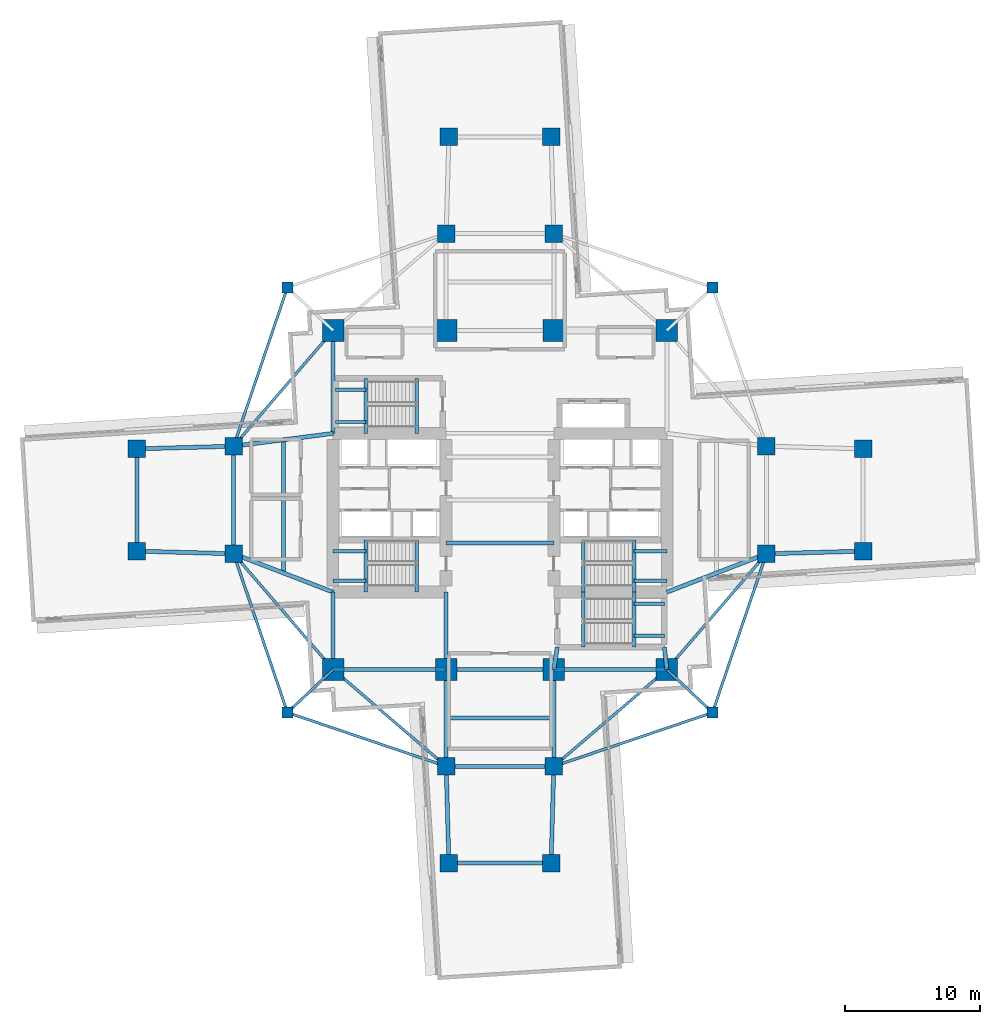
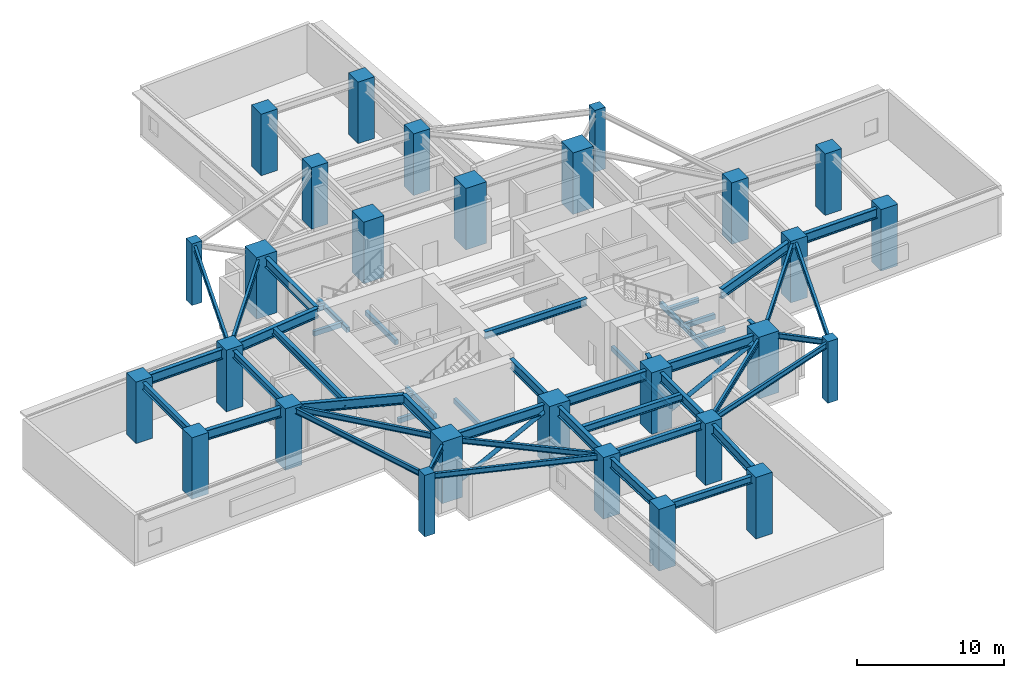
# One storey, part 1 of 11: 53 beams, 28 columns, 2 members.
"""IFC4 building model written with IfcOpenShell, lengths in metres."""

from ifc_helpers import new_model, si_unit, direction, frame, origin, origin_2d, place, context, subcontext, project, spatial, rectangle, hollow_circle, i_section, extrude, material, material_profile, profile_set, type_object, element, save


model = new_model("IFC4")

# Units and contexts
model_context = context("Model", 3, precision=1e-05, world=origin(), true_north=direction((0.0, 1.0)))
body_context = subcontext(model_context, "Body", "Model", "MODEL_VIEW")
ifc_project = project(units=[si_unit("LENGTHUNIT", "METRE"), si_unit("AREAUNIT", "SQUARE_METRE"), si_unit("VOLUMEUNIT", "CUBIC_METRE"), si_unit("PLANEANGLEUNIT", "RADIAN"), si_unit("MASSUNIT", "GRAM", prefix="KILO")], contexts=[model_context])

# Site, building, storey
site_placement = place(None, origin())
site = spatial("IfcSite", under=ifc_project, at=site_placement, CompositionType="ELEMENT")
building_placement = place(site_placement, origin())
building = spatial("IfcBuilding", under=site, at=building_placement, Name="Qingluan Cross Belvedere", CompositionType="ELEMENT")
storey_placement = place(building_placement, frame((0.0, 0.0, 47.10009765625)))
storey = spatial("IfcBuildingStorey", under=building, at=storey_placement, Name="L12", CompositionType="ELEMENT", Elevation=47.10009765625)

# Columns
ifc_material_1 = material(Name="Concrete C60", Category="concrete")
ifc_material_profile_1 = material_profile(ifc_material_1, rectangle(XDim=1.300048828125, YDim=1.300048828125, at=origin_2d()), Name="RC1300x1300")
ifc_profile_set_1 = profile_set([ifc_material_profile_1], Name="Concrete C60")
column_type_1 = type_object("IfcColumnType", Name="Column_RC1300x1300", PredefinedType="COLUMN", material=ifc_profile_set_1)
for number, where, z_axis, x_axis, name in (
    (1, (19.800048828125, -4.0, 0.0), (0.0, 0.0, 1.0), (1.0, 0.0, 0.0), "Arm column L12-EIA"),
    (2, (19.800048828125, 4.0, 0.0), (0.0, 0.0, 1.0), (1.0, 0.0, 0.0), "Arm column L12-EIB"),
    (3, (-19.800048828125, -4.0, 0.0), (0.0, 0.0, 1.0), (1.0, 0.0, 0.0), "Arm column L12-WIA"),
    (4, (-19.800048828125, 4.0, 0.0), (0.0, 0.0, 1.0), (1.0, 0.0, 0.0), "Arm column L12-WIB"),
    (5, (-4.0, -19.800048828125, 0.0), (0.0, 0.0, 1.0), (1.0, 0.0, 0.0), "Arm column L12-SIA"),
    (6, (4.0, -19.800048828125, 0.0), (0.0, 0.0, 1.0), (1.0, 0.0, 0.0), "Arm column L12-SIB"),
    (7, (-4.0, 19.800048828125, 0.0), (0.0, 0.0, 1.0), (1.0, 0.0, 0.0), "Arm column L12-NIA"),
    (8, (4.0, 19.800048828125, 0.0), (0.0, 0.0, 1.0), (1.0, 0.0, 0.0), "Arm column L12-NIB"),
    (9, (27.0, -3.800048828125, 0.0), (0.0, 0.0, 1.0), (1.0, 0.0, 0.0), "Arm column L12-EOA"),
    (10, (27.0, 3.800048828125, 0.0), (0.0, 0.0, 1.0), (1.0, 0.0, 0.0), "Arm column L12-EOB"),
    (11, (-27.0, -3.800048828125, 0.0), (0.0, 0.0, 1.0), (1.0, 0.0, 0.0), "Arm column L12-WOA"),
    (12, (-27.0, 3.800048828125, 0.0), (0.0, 0.0, 1.0), (1.0, 0.0, 0.0), "Arm column L12-WOB"),
    (13, (-3.800048828125, -27.0, 0.0), (0.0, 0.0, 1.0), (1.0, 0.0, 0.0), "Arm column L12-SOA"),
    (14, (3.800048828125, -27.0, 0.0), (0.0, 0.0, 1.0), (1.0, 0.0, 0.0), "Arm column L12-SOB"),
    (15, (-3.800048828125, 27.0, 0.0), (0.0, 0.0, 1.0), (1.0, 0.0, 0.0), "Arm column L12-NOA"),
    (16, (3.800048828125, 27.0, 0.0), (0.0, 0.0, 1.0), (1.0, 0.0, 0.0), "Arm column L12-NOB"),
):
    element("IfcColumn", number, at=place(storey_placement, frame(where, z_axis=z_axis, x_axis=x_axis)), inside=storey, type_object=column_type_1, Name=name, PredefinedType="COLUMN", context=body_context, shape_type="SweptSolid", body=[
        extrude(rectangle(XDim=1.300048828125, YDim=1.300048828125, at=origin_2d()), origin(), (0.0, 0.0, 1.0), 5.099853515625),
    ])
ifc_material_2 = material(Name="Concrete C70", Category="concrete")
ifc_material_profile_2 = material_profile(ifc_material_2, rectangle(XDim=1.60009765625, YDim=1.60009765625, at=origin_2d()), Name="RC1600x1600")
ifc_profile_set_2 = profile_set([ifc_material_profile_2], Name="Concrete C70")
column_type_2 = type_object("IfcColumnType", Name="Column_RC1600x1600", PredefinedType="COLUMN", material=ifc_profile_set_2)
for number, where, z_axis, x_axis, name in (
    (17, (-12.39990234375, -12.60009765625, 0.0), (0.0, 0.0, 1.0), (1.0, 0.0, 0.0), "Hub column L12-HC1"),
    (18, (12.39990234375, -12.60009765625, 0.0), (0.0, 0.0, 1.0), (1.0, 0.0, 0.0), "Hub column L12-HC2"),
    (19, (12.39990234375, 12.60009765625, 0.0), (0.0, 0.0, 1.0), (1.0, 0.0, 0.0), "Hub column L12-HC3"),
    (20, (-12.39990234375, 12.60009765625, 0.0), (0.0, 0.0, 1.0), (1.0, 0.0, 0.0), "Hub column L12-HC4"),
    (21, (-4.0, -12.60009765625, 0.0), (0.0, 0.0, 1.0), (1.0, 0.0, 0.0), "Hub column L12-HC5"),
    (22, (4.0, -12.60009765625, 0.0), (0.0, 0.0, 1.0), (1.0, 0.0, 0.0), "Hub column L12-HC6"),
    (23, (4.0, 12.60009765625, 0.0), (0.0, 0.0, 1.0), (1.0, 0.0, 0.0), "Hub column L12-HC7"),
    (24, (-4.0, 12.60009765625, 0.0), (0.0, 0.0, 1.0), (1.0, 0.0, 0.0), "Hub column L12-HC8"),
):
    element("IfcColumn", number, at=place(storey_placement, frame(where, z_axis=z_axis, x_axis=x_axis)), inside=storey, type_object=column_type_2, Name=name, PredefinedType="COLUMN", context=body_context, shape_type="SweptSolid", body=[
        extrude(rectangle(XDim=1.60009765625, YDim=1.60009765625, at=origin_2d()), origin(), (0.0, 0.0, 1.0), 5.099853515625),
    ])
ifc_material_3 = material(Name="Concrete C50", Category="concrete")
ifc_material_profile_3 = material_profile(ifc_material_3, rectangle(XDim=0.800048828125, YDim=0.800048828125, at=origin_2d()), Name="RC800x800")
ifc_profile_set_3 = profile_set([ifc_material_profile_3], Name="Concrete C50")
column_type_3 = type_object("IfcColumnType", Name="Column_RC800x800", PredefinedType="COLUMN", material=ifc_profile_set_3)
for number, where, z_axis, x_axis, name in (
    (25, (15.800048828125, 15.800048828125, 0.0), (0.0, 0.0, 1.0), (1.0, 0.0, 0.0), "Corner column L12-RNE"),
    (26, (-15.800048828125, 15.800048828125, 0.0), (0.0, 0.0, 1.0), (1.0, 0.0, 0.0), "Corner column L12-RNW"),
    (27, (-15.800048828125, -15.800048828125, 0.0), (0.0, 0.0, 1.0), (1.0, 0.0, 0.0), "Corner column L12-RSW"),
    (28, (15.800048828125, -15.800048828125, 0.0), (0.0, 0.0, 1.0), (1.0, 0.0, 0.0), "Corner column L12-RSE"),
):
    element("IfcColumn", number, at=place(storey_placement, frame(where, z_axis=z_axis, x_axis=x_axis)), inside=storey, type_object=column_type_3, Name=name, PredefinedType="COLUMN", context=body_context, shape_type="SweptSolid", body=[
        extrude(rectangle(XDim=0.800048828125, YDim=0.800048828125, at=origin_2d()), origin(), (0.0, 0.0, 1.0), 5.099853515625),
    ])

# Beams
ifc_material_4 = material(Name="Concrete C45", Category="concrete")
ifc_material_profile_4 = material_profile(ifc_material_4, rectangle(XDim=0.25, YDim=0.39990234375, at=origin_2d()), Name="RC250x400")
ifc_profile_set_4 = profile_set([ifc_material_profile_4], Name="Concrete C45")
beam_type_1 = type_object("IfcBeamType", Name="RC_Lintel_RC250x400", PredefinedType="LINTEL", material=ifc_profile_set_4)
for number, where, z_axis, x_axis, name in (
    (29, (-6.179931640625, -6.85009765625, -0.2001953125), (0.0, 1.0, 0.0), (-1.0, 0.0, 0.0), "Stair ST1 landing beam L12"),
    (30, (6.179931640625, -6.85009765625, -0.2001953125), (0.0, 1.0, 0.0), (-1.0, 0.0, 0.0), "Stair ST2 landing beam L12"),
):
    element("IfcBeam", number, at=place(storey_placement, frame(where, z_axis=z_axis, x_axis=x_axis)), inside=storey, type_object=beam_type_1, Name=name, PredefinedType="LINTEL", context=body_context, shape_type="SweptSolid", body=[
        extrude(rectangle(XDim=0.25, YDim=0.39990234375, at=origin_2d()), origin(), (0.0, 0.0, 1.0), 3.89013671875),
    ])
beam_1_placement = place(storey_placement, frame((-6.179931640625, 4.949951171875, -0.2001953125), z_axis=(0.0, 1.0, 0.0), x_axis=(-1.0, 0.0, 0.0)))
element("IfcBeam", 31, at=beam_1_placement, inside=storey, type_object=beam_type_1, Name="Stair ST3 landing beam L12", PredefinedType="LINTEL", context=body_context, shape_type="SweptSolid", body=[
    extrude(rectangle(XDim=0.25, YDim=0.39990234375, at=origin_2d()), origin(), (0.0, 0.0, 1.0), 4.090087890625),
])
beam_2_placement = place(storey_placement, frame((6.179931640625, -10.93994140625, -0.2001953125), z_axis=(0.0, 1.0, 0.0), x_axis=(-1.0, 0.0, 0.0)))
element("IfcBeam", 32, at=beam_2_placement, inside=storey, type_object=beam_type_1, Name="Stair ST4 landing beam L12", PredefinedType="LINTEL", context=body_context, shape_type="SweptSolid", body=[
    extrude(rectangle(XDim=0.25, YDim=0.39990234375, at=origin_2d()), origin(), (0.0, 0.0, 1.0), 4.08984375),
])
beam_3_placement = place(storey_placement, frame((-9.969970703125, -6.85009765625, 2.14990234375), z_axis=(0.0, 1.0, 0.0), x_axis=(-1.0, 0.0, 0.0)))
element("IfcBeam", 33, at=beam_3_placement, inside=storey, type_object=beam_type_1, Name="Stair ST1 beam A L12", PredefinedType="LINTEL", context=body_context, shape_type="SweptSolid", body=[
    extrude(rectangle(XDim=0.25, YDim=0.39990234375, at=origin_2d()), origin(), (0.0, 0.0, 1.0), 3.89013671875),
])
for number, where, z_axis, x_axis, name in (
    (34, (-12.39990234375, -6.0, 2.14990234375), (1.0, 0.0, 0.0), (0.0, 1.0, 0.0), "Stair ST1 beam B L12"),
    (35, (-12.39990234375, -3.81005859375, 2.14990234375), (1.0, 0.0, 0.0), (0.0, 1.0, 0.0), "Stair ST1 beam C L12"),
):
    element("IfcBeam", number, at=place(storey_placement, frame(where, z_axis=z_axis, x_axis=x_axis)), inside=storey, type_object=beam_type_1, Name=name, PredefinedType="LINTEL", context=body_context, shape_type="SweptSolid", body=[
        extrude(rectangle(XDim=0.25, YDim=0.39990234375, at=origin_2d()), origin(), (0.0, 0.0, 1.0), 2.429931640625),
    ])
beam_4_placement = place(storey_placement, frame((9.969970703125, -6.85009765625, 2.14990234375), z_axis=(0.0, 1.0, 0.0), x_axis=(-1.0, 0.0, 0.0)))
element("IfcBeam", 36, at=beam_4_placement, inside=storey, type_object=beam_type_1, Name="Stair ST2 beam A L12", PredefinedType="LINTEL", context=body_context, shape_type="SweptSolid", body=[
    extrude(rectangle(XDim=0.25, YDim=0.39990234375, at=origin_2d()), origin(), (0.0, 0.0, 1.0), 3.89013671875),
])
for number, where, z_axis, x_axis, name in (
    (37, (12.39990234375, -6.0, 2.14990234375), (-1.0, 0.0, 0.0), (0.0, -1.0, 0.0), "Stair ST2 beam B L12"),
    (38, (12.39990234375, -3.81005859375, 2.14990234375), (-1.0, 0.0, 0.0), (0.0, -1.0, 0.0), "Stair ST2 beam C L12"),
):
    element("IfcBeam", number, at=place(storey_placement, frame(where, z_axis=z_axis, x_axis=x_axis)), inside=storey, type_object=beam_type_1, Name=name, PredefinedType="LINTEL", context=body_context, shape_type="SweptSolid", body=[
        extrude(rectangle(XDim=0.25, YDim=0.39990234375, at=origin_2d()), origin(), (0.0, 0.0, 1.0), 2.429931640625),
    ])
beam_5_placement = place(storey_placement, frame((-9.969970703125, 4.949951171875, 2.14990234375), z_axis=(0.0, 1.0, 0.0), x_axis=(-1.0, 0.0, 0.0)))
element("IfcBeam", 39, at=beam_5_placement, inside=storey, type_object=beam_type_1, Name="Stair ST3 beam A L12", PredefinedType="LINTEL", context=body_context, shape_type="SweptSolid", body=[
    extrude(rectangle(XDim=0.25, YDim=0.39990234375, at=origin_2d()), origin(), (0.0, 0.0, 1.0), 4.090087890625),
])
for number, where, z_axis, x_axis, name in (
    (40, (-12.219970703125, 5.800048828125, 2.14990234375), (1.0, 0.0, 0.0), (0.0, 1.0, 0.0), "Stair ST3 beam B L12"),
    (41, (-12.219970703125, 8.18994140625, 2.14990234375), (1.0, 0.0, 0.0), (0.0, 1.0, 0.0), "Stair ST3 beam C L12"),
):
    element("IfcBeam", number, at=place(storey_placement, frame(where, z_axis=z_axis, x_axis=x_axis)), inside=storey, type_object=beam_type_1, Name=name, PredefinedType="LINTEL", context=body_context, shape_type="SweptSolid", body=[
        extrude(rectangle(XDim=0.25, YDim=0.39990234375, at=origin_2d()), origin(), (0.0, 0.0, 1.0), 2.25),
    ])
beam_6_placement = place(storey_placement, frame((9.969970703125, -10.93994140625, 2.14990234375), z_axis=(0.0, 1.0, 0.0), x_axis=(-1.0, 0.0, 0.0)))
element("IfcBeam", 42, at=beam_6_placement, inside=storey, type_object=beam_type_1, Name="Stair ST4 beam A L12", PredefinedType="LINTEL", context=body_context, shape_type="SweptSolid", body=[
    extrude(rectangle(XDim=0.25, YDim=0.39990234375, at=origin_2d()), origin(), (0.0, 0.0, 1.0), 4.08984375),
])
for number, where, z_axis, x_axis, name in (
    (43, (12.219970703125, -10.090087890625, 2.14990234375), (-1.0, 0.0, 0.0), (0.0, -1.0, 0.0), "Stair ST4 beam B L12"),
    (44, (12.219970703125, -7.699951171875, 2.14990234375), (-1.0, 0.0, 0.0), (0.0, -1.0, 0.0), "Stair ST4 beam C L12"),
):
    element("IfcBeam", number, at=place(storey_placement, frame(where, z_axis=z_axis, x_axis=x_axis)), inside=storey, type_object=beam_type_1, Name=name, PredefinedType="LINTEL", context=body_context, shape_type="SweptSolid", body=[
        extrude(rectangle(XDim=0.25, YDim=0.39990234375, at=origin_2d()), origin(), (0.0, 0.0, 1.0), 2.25),
    ])

# Members
ifc_material_5 = material(Name="Steel Q420GJB", Category="steel")
ifc_material_profile_5 = material_profile(ifc_material_5, hollow_circle(Radius=0.16259765625, WallThickness=0.013916015625, at=origin_2d()), Name="CHS325x14")
ifc_profile_set_5 = profile_set([ifc_material_profile_5], Name="Steel Q420GJB")
member_type = type_object("IfcMemberType", Name="SteelMember_STRUT_CHS325x14", PredefinedType="STRUT", material=ifc_profile_set_5)
for number, where, z_axis, x_axis, name in (
    (45, (-12.39990234375, -12.60009765625, 0.2998046875), (0.890143965082, 0.0, 0.455679406412), (0.0, 1.0, 0.0), "Refuge hub lateral strut L12-SW"),
    (46, (4.0, -12.60009765625, 0.2998046875), (0.890143965082, 0.0, 0.455679406412), (0.0, 1.0, 0.0), "Refuge hub lateral strut L12-SE"),
):
    element("IfcMember", number, at=place(storey_placement, frame(where, z_axis=z_axis, x_axis=x_axis)), inside=storey, type_object=member_type, Name=name, PredefinedType="STRUT", context=body_context, shape_type="SweptSolid", body=[
        extrude(hollow_circle(Radius=0.16259765625, WallThickness=0.013916015625, at=origin_2d()), origin(), (0.0, 0.0, 1.0), 9.4365234375),
    ])

# Beams
ifc_material_6 = material(Name="Steel Q420GJB", Category="steel")
ifc_material_profile_6 = material_profile(ifc_material_6, i_section(OverallWidth=0.300048828125, OverallDepth=0.587890625, WebThickness=0.011962890625, FlangeThickness=0.02001953125, FilletRadius=0.02392578125, at=origin_2d()), Name="HM588x300x12x20")
ifc_profile_set_6 = profile_set([ifc_material_profile_6], Name="Steel Q420GJB")
beam_type_2 = type_object("IfcBeamType", Name="Steel_Beam_HM588x300x12x20", PredefinedType="BEAM", material=ifc_profile_set_6)
for number, where, z_axis, x_axis, name in (
    (47, (-4.0, -3.199951171875, 4.60595703125), (1.0, 0.0, 0.0), (0.0, 1.0, 0.0), "Hall beam L12-CH1"),
    (48, (-19.800048828125, -4.0, 4.60595703125), (0.0, 1.0, 0.0), (-1.0, 0.0, 0.0), "Arm W tie L12"),
):
    element("IfcBeam", number, at=place(storey_placement, frame(where, z_axis=z_axis, x_axis=x_axis)), inside=storey, type_object=beam_type_2, Name=name, PredefinedType="BEAM", context=body_context, shape_type="SweptSolid", body=[
        extrude(i_section(OverallWidth=0.300048828125, OverallDepth=0.587890625, WebThickness=0.011962890625, FlangeThickness=0.02001953125, FilletRadius=0.02392578125, at=origin_2d()), origin(), (0.0, 0.0, 1.0), 8.0),
    ])
beam_7_placement = place(storey_placement, frame((-16.10009765625, -5.425048828125, 4.60595703125), z_axis=(0.0, 1.0, 0.0), x_axis=(-1.0, 0.0, 0.0)))
element("IfcBeam", 49, at=beam_7_placement, inside=storey, type_object=beam_type_2, Name="Arm W beam L12", PredefinedType="BEAM", context=body_context, shape_type="SweptSolid", body=[
    extrude(i_section(OverallWidth=0.300048828125, OverallDepth=0.587890625, WebThickness=0.011962890625, FlangeThickness=0.02001953125, FilletRadius=0.02392578125, at=origin_2d()), origin(), (0.0, 0.0, 1.0), 9.900146484375),
])
beam_8_placement = place(storey_placement, frame((-27.0, -3.800048828125, 4.60595703125), z_axis=(0.0, 1.0, 0.0), x_axis=(-1.0, 0.0, 0.0)))
element("IfcBeam", 50, at=beam_8_placement, inside=storey, type_object=beam_type_2, Name="Arm W tip transverse beam L12", PredefinedType="BEAM", context=body_context, shape_type="SweptSolid", body=[
    extrude(i_section(OverallWidth=0.300048828125, OverallDepth=0.587890625, WebThickness=0.011962890625, FlangeThickness=0.02001953125, FilletRadius=0.02392578125, at=origin_2d()), origin(), (0.0, 0.0, 1.0), 7.60009765625),
])
for number, where, z_axis, x_axis, name in (
    (51, (-4.0, -19.800048828125, 4.60595703125), (1.0, 0.0, 0.0), (0.0, 1.0, 0.0), "Arm S tie L12"),
    (52, (-4.0, -16.199951171875, 4.60595703125), (1.0, 0.0, 0.0), (0.0, 1.0, 0.0), "Arm S beam L12"),
):
    element("IfcBeam", number, at=place(storey_placement, frame(where, z_axis=z_axis, x_axis=x_axis)), inside=storey, type_object=beam_type_2, Name=name, PredefinedType="BEAM", context=body_context, shape_type="SweptSolid", body=[
        extrude(i_section(OverallWidth=0.300048828125, OverallDepth=0.587890625, WebThickness=0.011962890625, FlangeThickness=0.02001953125, FilletRadius=0.02392578125, at=origin_2d()), origin(), (0.0, 0.0, 1.0), 8.0),
    ])
beam_9_placement = place(storey_placement, frame((-3.800048828125, -27.0, 4.60595703125), z_axis=(1.0, 0.0, 0.0), x_axis=(0.0, 1.0, 0.0)))
element("IfcBeam", 53, at=beam_9_placement, inside=storey, type_object=beam_type_2, Name="Arm S tip transverse beam L12", PredefinedType="BEAM", context=body_context, shape_type="SweptSolid", body=[
    extrude(i_section(OverallWidth=0.300048828125, OverallDepth=0.587890625, WebThickness=0.011962890625, FlangeThickness=0.02001953125, FilletRadius=0.02392578125, at=origin_2d()), origin(), (0.0, 0.0, 1.0), 7.60009765625),
])
ifc_material_7 = material(Name="Steel Q420GJB", Category="steel")
ifc_material_profile_7 = material_profile(ifc_material_7, i_section(OverallWidth=0.199951171875, OverallDepth=0.449951171875, WebThickness=0.009033203125, FlangeThickness=0.013916015625, FilletRadius=0.01611328125, at=origin_2d()), Name="HN450x200x9x14")
ifc_profile_set_7 = profile_set([ifc_material_profile_7], Name="Steel Q420GJB")
beam_type_3 = type_object("IfcBeamType", Name="Steel_Beam_HN450x200x9x14", PredefinedType="JOIST", material=ifc_profile_set_7)
beam_10_placement = place(storey_placement, frame((-15.800048828125, 15.800048828125, 4.6748046875), z_axis=(-0.321038089628, -0.947066283324, 0.0), x_axis=(0.947066283324, -0.321038089628, 0.0)))
element("IfcBeam", 54, at=beam_10_placement, inside=storey, type_object=beam_type_3, Name="Corner beam 3 L12-RNW", PredefinedType="JOIST", context=body_context, shape_type="SweptSolid", body=[
    extrude(i_section(OverallWidth=0.199951171875, OverallDepth=0.449951171875, WebThickness=0.009033203125, FlangeThickness=0.013916015625, FilletRadius=0.01611328125, at=origin_2d()), origin(), (0.0, 0.0, 1.0), 12.45947265625),
])
beam_11_placement = place(storey_placement, frame((-12.39990234375, 12.60009765625, 4.6748046875), z_axis=(-0.652245077546, -0.75800815221, 0.0), x_axis=(0.75800815221, -0.652245077546, 0.0)))
element("IfcBeam", 55, at=beam_11_placement, inside=storey, type_object=beam_type_3, Name="Corner beam 4 L12-RNW", PredefinedType="JOIST", context=body_context, shape_type="SweptSolid", body=[
    extrude(i_section(OverallWidth=0.199951171875, OverallDepth=0.449951171875, WebThickness=0.009033203125, FlangeThickness=0.013916015625, FilletRadius=0.01611328125, at=origin_2d()), origin(), (0.0, 0.0, 1.0), 11.345703125),
])
beam_12_placement = place(storey_placement, frame((-12.39990234375, -12.60009765625, 4.65478515625), z_axis=(-0.728219948308, -0.685343495546, 0.0), x_axis=(0.685343495546, -0.728219948308, 0.0)))
element("IfcBeam", 56, at=beam_12_placement, inside=storey, type_object=beam_type_3, Name="Corner beam 1 L12-RSW", PredefinedType="JOIST", context=body_context, shape_type="SweptSolid", body=[
    extrude(i_section(OverallWidth=0.199951171875, OverallDepth=0.449951171875, WebThickness=0.009033203125, FlangeThickness=0.013916015625, FilletRadius=0.01611328125, at=origin_2d()), origin(), (0.0, 0.0, 1.0), 4.669189453125),
])
for number, where, z_axis, x_axis, name in (
    (57, (-15.800048828125, -15.800048828125, 4.65478515625), (0.947066283324, -0.321038089628, 0.0), (0.321038089628, 0.947066283324, 0.0), "Corner beam 2 L12-RSW"),
    (58, (-15.800048828125, -15.800048828125, 4.65478515625), (-0.321038089628, 0.947066283324, 0.0), (-0.947066283324, -0.321038089628, 0.0), "Corner beam 3 L12-RSW"),
):
    element("IfcBeam", number, at=place(storey_placement, frame(where, z_axis=z_axis, x_axis=x_axis)), inside=storey, type_object=beam_type_3, Name=name, PredefinedType="JOIST", context=body_context, shape_type="SweptSolid", body=[
        extrude(i_section(OverallWidth=0.199951171875, OverallDepth=0.449951171875, WebThickness=0.009033203125, FlangeThickness=0.013916015625, FilletRadius=0.01611328125, at=origin_2d()), origin(), (0.0, 0.0, 1.0), 12.45947265625),
    ])
beam_13_placement = place(storey_placement, frame((-12.39990234375, -12.60009765625, 4.65478515625), z_axis=(-0.652245077546, 0.75800815221, 0.0), x_axis=(-0.75800815221, -0.652245077546, 0.0)))
element("IfcBeam", 59, at=beam_13_placement, inside=storey, type_object=beam_type_3, Name="Corner beam 4 L12-RSW", PredefinedType="JOIST", context=body_context, shape_type="SweptSolid", body=[
    extrude(i_section(OverallWidth=0.199951171875, OverallDepth=0.449951171875, WebThickness=0.009033203125, FlangeThickness=0.013916015625, FilletRadius=0.01611328125, at=origin_2d()), origin(), (0.0, 0.0, 1.0), 11.345703125),
])
beam_14_placement = place(storey_placement, frame((-12.39990234375, -12.60009765625, 4.65478515625), z_axis=(0.759255044656, -0.650793190779, 0.0), x_axis=(0.650793190779, 0.759255044656, 0.0)))
element("IfcBeam", 60, at=beam_14_placement, inside=storey, type_object=beam_type_3, Name="Corner beam 5 L12-RSW", PredefinedType="JOIST", context=body_context, shape_type="SweptSolid", body=[
    extrude(i_section(OverallWidth=0.199951171875, OverallDepth=0.449951171875, WebThickness=0.009033203125, FlangeThickness=0.013916015625, FilletRadius=0.01611328125, at=origin_2d()), origin(), (0.0, 0.0, 1.0), 11.063232421875),
])
beam_15_placement = place(storey_placement, frame((12.39990234375, -12.60009765625, 4.6748046875), z_axis=(0.728219948308, -0.685343495546, 0.0), x_axis=(0.685343495546, 0.728219948308, 0.0)))
element("IfcBeam", 61, at=beam_15_placement, inside=storey, type_object=beam_type_3, Name="Corner beam 1 L12-RSE", PredefinedType="JOIST", context=body_context, shape_type="SweptSolid", body=[
    extrude(i_section(OverallWidth=0.199951171875, OverallDepth=0.449951171875, WebThickness=0.009033203125, FlangeThickness=0.013916015625, FilletRadius=0.01611328125, at=origin_2d()), origin(), (0.0, 0.0, 1.0), 4.669189453125),
])
for number, where, z_axis, x_axis, name in (
    (62, (15.800048828125, -15.800048828125, 4.6748046875), (-0.947066283324, -0.321038089628, 0.0), (0.321038089628, -0.947066283324, 0.0), "Corner beam 2 L12-RSE"),
    (63, (15.800048828125, -15.800048828125, 4.6748046875), (0.321038089628, 0.947066283324, 0.0), (-0.947066283324, 0.321038089628, 0.0), "Corner beam 3 L12-RSE"),
):
    element("IfcBeam", number, at=place(storey_placement, frame(where, z_axis=z_axis, x_axis=x_axis)), inside=storey, type_object=beam_type_3, Name=name, PredefinedType="JOIST", context=body_context, shape_type="SweptSolid", body=[
        extrude(i_section(OverallWidth=0.199951171875, OverallDepth=0.449951171875, WebThickness=0.009033203125, FlangeThickness=0.013916015625, FilletRadius=0.01611328125, at=origin_2d()), origin(), (0.0, 0.0, 1.0), 12.45947265625),
    ])
beam_16_placement = place(storey_placement, frame((12.39990234375, -12.60009765625, 4.6748046875), z_axis=(0.652245077546, 0.75800815221, 0.0), x_axis=(-0.75800815221, 0.652245077546, 0.0)))
element("IfcBeam", 64, at=beam_16_placement, inside=storey, type_object=beam_type_3, Name="Corner beam 4 L12-RSE", PredefinedType="JOIST", context=body_context, shape_type="SweptSolid", body=[
    extrude(i_section(OverallWidth=0.199951171875, OverallDepth=0.449951171875, WebThickness=0.009033203125, FlangeThickness=0.013916015625, FilletRadius=0.01611328125, at=origin_2d()), origin(), (0.0, 0.0, 1.0), 11.345703125),
])
beam_17_placement = place(storey_placement, frame((12.39990234375, -12.60009765625, 4.6748046875), z_axis=(-0.759255044656, -0.650793190779, 0.0), x_axis=(0.650793190779, -0.759255044656, 0.0)))
element("IfcBeam", 65, at=beam_17_placement, inside=storey, type_object=beam_type_3, Name="Corner beam 5 L12-RSE", PredefinedType="JOIST", context=body_context, shape_type="SweptSolid", body=[
    extrude(i_section(OverallWidth=0.199951171875, OverallDepth=0.449951171875, WebThickness=0.009033203125, FlangeThickness=0.013916015625, FilletRadius=0.01611328125, at=origin_2d()), origin(), (0.0, 0.0, 1.0), 11.063232421875),
])
ifc_material_8 = material(Name="Steel Q420GJB", Category="steel")
ifc_material_profile_8 = material_profile(ifc_material_8, i_section(OverallWidth=0.305908203125, OverallDepth=0.81396484375, WebThickness=0.02099609375, FlangeThickness=0.0400390625, FilletRadius=0.030029296875, at=origin_2d()), Name="HEM800")
ifc_profile_set_8 = profile_set([ifc_material_profile_8], Name="Steel Q420GJB")
beam_type_4 = type_object("IfcBeamType", Name="Steel_Girder_HEM800", PredefinedType="USERDEFINED", material=ifc_profile_set_8)
beam_18_placement = place(storey_placement, frame((-12.39990234375, -12.60009765625, 4.492919921875), z_axis=(1.0, 0.0, 0.0), x_axis=(0.0, 1.0, 0.0)))
element("IfcBeam", 66, at=beam_18_placement, inside=storey, type_object=beam_type_4, Name="Hub girder L12-HG-S1", ObjectType="GIRDER", PredefinedType="USERDEFINED", context=body_context, shape_type="SweptSolid", body=[
    extrude(i_section(OverallWidth=0.305908203125, OverallDepth=0.81396484375, WebThickness=0.02099609375, FlangeThickness=0.0400390625, FilletRadius=0.030029296875, at=origin_2d()), origin(), (0.0, 0.0, 1.0), 8.39990234375),
])
beam_19_placement = place(storey_placement, frame((-4.0, -12.60009765625, 4.492919921875), z_axis=(1.0, 0.0, 0.0), x_axis=(0.0, 1.0, 0.0)))
element("IfcBeam", 67, at=beam_19_placement, inside=storey, type_object=beam_type_4, Name="Hub girder L12-HG-S2", ObjectType="GIRDER", PredefinedType="USERDEFINED", context=body_context, shape_type="SweptSolid", body=[
    extrude(i_section(OverallWidth=0.305908203125, OverallDepth=0.81396484375, WebThickness=0.02099609375, FlangeThickness=0.0400390625, FilletRadius=0.030029296875, at=origin_2d()), origin(), (0.0, 0.0, 1.0), 8.0),
])
beam_20_placement = place(storey_placement, frame((4.0, -12.60009765625, 4.492919921875), z_axis=(1.0, 0.0, 0.0), x_axis=(0.0, 1.0, 0.0)))
element("IfcBeam", 68, at=beam_20_placement, inside=storey, type_object=beam_type_4, Name="Hub girder L12-HG-S3", ObjectType="GIRDER", PredefinedType="USERDEFINED", context=body_context, shape_type="SweptSolid", body=[
    extrude(i_section(OverallWidth=0.305908203125, OverallDepth=0.81396484375, WebThickness=0.02099609375, FlangeThickness=0.0400390625, FilletRadius=0.030029296875, at=origin_2d()), origin(), (0.0, 0.0, 1.0), 8.39990234375),
])
beam_21_placement = place(storey_placement, frame((-12.39990234375, -12.60009765625, 4.492919921875), z_axis=(0.0, 1.0, 0.0), x_axis=(-1.0, 0.0, 0.0)))
element("IfcBeam", 69, at=beam_21_placement, inside=storey, type_object=beam_type_4, Name="Hub girder L12-HG-W1", ObjectType="GIRDER", PredefinedType="USERDEFINED", context=body_context, shape_type="SweptSolid", body=[
    extrude(i_section(OverallWidth=0.305908203125, OverallDepth=0.81396484375, WebThickness=0.02099609375, FlangeThickness=0.0400390625, FilletRadius=0.030029296875, at=origin_2d()), origin(), (0.0, 0.0, 1.0), 5.75),
])
beam_22_placement = place(storey_placement, frame((-12.39990234375, 4.949951171875, 4.492919921875), z_axis=(0.0, 1.0, 0.0), x_axis=(-1.0, 0.0, 0.0)))
element("IfcBeam", 70, at=beam_22_placement, inside=storey, type_object=beam_type_4, Name="Hub girder L12-HG-W2", ObjectType="GIRDER", PredefinedType="USERDEFINED", context=body_context, shape_type="SweptSolid", body=[
    extrude(i_section(OverallWidth=0.305908203125, OverallDepth=0.81396484375, WebThickness=0.02099609375, FlangeThickness=0.0400390625, FilletRadius=0.030029296875, at=origin_2d()), origin(), (0.0, 0.0, 1.0), 7.650146484375),
])
beam_23_placement = place(storey_placement, frame((12.39990234375, -12.60009765625, 4.492919921875), z_axis=(-0.107751337451, 0.994177876075, 0.0), x_axis=(-0.994177876075, -0.107751337451, 0.0)))
element("IfcBeam", 71, at=beam_23_placement, inside=storey, type_object=beam_type_4, Name="Hub girder L12-HG-E1", ObjectType="GIRDER", PredefinedType="USERDEFINED", context=body_context, shape_type="SweptSolid", body=[
    extrude(i_section(OverallWidth=0.305908203125, OverallDepth=0.81396484375, WebThickness=0.02099609375, FlangeThickness=0.0400390625, FilletRadius=0.030029296875, at=origin_2d()), origin(), (0.0, 0.0, 1.0), 1.669921875),
])
beam_24_placement = place(storey_placement, frame((-4.0, -12.60009765625, 4.492919921875), z_axis=(0.0, 1.0, 0.0), x_axis=(-1.0, 0.0, 0.0)))
element("IfcBeam", 72, at=beam_24_placement, inside=storey, type_object=beam_type_4, Name="Hub girder L12-HG-CW", ObjectType="GIRDER", PredefinedType="USERDEFINED", context=body_context, shape_type="SweptSolid", body=[
    extrude(i_section(OverallWidth=0.305908203125, OverallDepth=0.81396484375, WebThickness=0.02099609375, FlangeThickness=0.0400390625, FilletRadius=0.030029296875, at=origin_2d()), origin(), (0.0, 0.0, 1.0), 5.75),
])
beam_25_placement = place(storey_placement, frame((4.0, -12.60009765625, 4.492919921875), z_axis=(0.154731433337, 0.987956569662, 0.0), x_axis=(-0.987956569662, 0.154731433337, 0.0)))
element("IfcBeam", 73, at=beam_25_placement, inside=storey, type_object=beam_type_4, Name="Hub girder L12-HG-CE", ObjectType="GIRDER", PredefinedType="USERDEFINED", context=body_context, shape_type="SweptSolid", body=[
    extrude(i_section(OverallWidth=0.305908203125, OverallDepth=0.81396484375, WebThickness=0.02099609375, FlangeThickness=0.0400390625, FilletRadius=0.030029296875, at=origin_2d()), origin(), (0.0, 0.0, 1.0), 1.680419921875),
])
beam_26_placement = place(storey_placement, frame((12.39990234375, -6.85009765625, 4.492919921875), z_axis=(0.933181258889, 0.359406090735, 0.0), x_axis=(-0.359406090735, 0.933181258889, 0.0)))
element("IfcBeam", 74, at=beam_26_placement, inside=storey, type_object=beam_type_4, Name="Arm E radial girder A L12", ObjectType="GIRDER", PredefinedType="USERDEFINED", context=body_context, shape_type="SweptSolid", body=[
    extrude(i_section(OverallWidth=0.305908203125, OverallDepth=0.81396484375, WebThickness=0.02099609375, FlangeThickness=0.0400390625, FilletRadius=0.030029296875, at=origin_2d()), origin(), (0.0, 0.0, 1.0), 7.929931640625),
])
beam_27_placement = place(storey_placement, frame((19.800048828125, -4.0, 4.492919921875), z_axis=(0.999614603568, 0.027760481514, 0.0), x_axis=(-0.027760481514, 0.999614603568, 0.0)))
element("IfcBeam", 75, at=beam_27_placement, inside=storey, type_object=beam_type_4, Name="Arm E outer radial girder A L12", ObjectType="GIRDER", PredefinedType="USERDEFINED", context=body_context, shape_type="SweptSolid", body=[
    extrude(i_section(OverallWidth=0.305908203125, OverallDepth=0.81396484375, WebThickness=0.02099609375, FlangeThickness=0.0400390625, FilletRadius=0.030029296875, at=origin_2d()), origin(), (0.0, 0.0, 1.0), 7.20263671875),
])
beam_28_placement = place(storey_placement, frame((-12.39990234375, -6.85009765625, 4.492919921875), z_axis=(-0.933181258889, 0.359406090735, 0.0), x_axis=(-0.359406090735, -0.933181258889, 0.0)))
element("IfcBeam", 76, at=beam_28_placement, inside=storey, type_object=beam_type_4, Name="Arm W radial girder A L12", ObjectType="GIRDER", PredefinedType="USERDEFINED", context=body_context, shape_type="SweptSolid", body=[
    extrude(i_section(OverallWidth=0.305908203125, OverallDepth=0.81396484375, WebThickness=0.02099609375, FlangeThickness=0.0400390625, FilletRadius=0.030029296875, at=origin_2d()), origin(), (0.0, 0.0, 1.0), 7.929931640625),
])
beam_29_placement = place(storey_placement, frame((-12.39990234375, 4.949951171875, 4.492919921875), z_axis=(-0.991861120628, -0.12732445714, 0.0), x_axis=(0.12732445714, -0.991861120628, 0.0)))
element("IfcBeam", 77, at=beam_29_placement, inside=storey, type_object=beam_type_4, Name="Arm W radial girder B L12", ObjectType="GIRDER", PredefinedType="USERDEFINED", context=body_context, shape_type="SweptSolid", body=[
    extrude(i_section(OverallWidth=0.305908203125, OverallDepth=0.81396484375, WebThickness=0.02099609375, FlangeThickness=0.0400390625, FilletRadius=0.030029296875, at=origin_2d()), origin(), (0.0, 0.0, 1.0), 7.4609375),
])
for number, where, z_axis, x_axis, name in (
    (78, (-19.800048828125, -4.0, 4.492919921875), (-0.999614603568, 0.027760481514, 0.0), (-0.027760481514, -0.999614603568, 0.0), "Arm W outer radial girder A L12"),
    (79, (-19.800048828125, 4.0, 4.492919921875), (-0.999614603568, -0.027760481514, 0.0), (0.027760481514, -0.999614603568, 0.0), "Arm W outer radial girder B L12"),
):
    element("IfcBeam", number, at=place(storey_placement, frame(where, z_axis=z_axis, x_axis=x_axis)), inside=storey, type_object=beam_type_4, Name=name, ObjectType="GIRDER", PredefinedType="USERDEFINED", context=body_context, shape_type="SweptSolid", body=[
        extrude(i_section(OverallWidth=0.305908203125, OverallDepth=0.81396484375, WebThickness=0.02099609375, FlangeThickness=0.0400390625, FilletRadius=0.030029296875, at=origin_2d()), origin(), (0.0, 0.0, 1.0), 7.20263671875),
    ])
for number, where, z_axis, x_axis, name in (
    (80, (-4.0, -12.60009765625, 4.492919921875), (0.0, -1.0, 0.0), (1.0, 0.0, 0.0), "Arm S radial girder A L12"),
    (81, (4.0, -12.60009765625, 4.492919921875), (0.0, -1.0, 0.0), (1.0, 0.0, 0.0), "Arm S radial girder B L12"),
):
    element("IfcBeam", number, at=place(storey_placement, frame(where, z_axis=z_axis, x_axis=x_axis)), inside=storey, type_object=beam_type_4, Name=name, ObjectType="GIRDER", PredefinedType="USERDEFINED", context=body_context, shape_type="SweptSolid", body=[
        extrude(i_section(OverallWidth=0.305908203125, OverallDepth=0.81396484375, WebThickness=0.02099609375, FlangeThickness=0.0400390625, FilletRadius=0.030029296875, at=origin_2d()), origin(), (0.0, 0.0, 1.0), 7.199951171875),
    ])
for number, where, z_axis, x_axis, name in (
    (82, (-4.0, -19.800048828125, 4.492919921875), (0.027760481514, -0.999614603568, 0.0), (0.999614603568, 0.027760481514, 0.0), "Arm S outer radial girder A L12"),
    (83, (4.0, -19.800048828125, 4.492919921875), (-0.027760481514, -0.999614603568, 0.0), (0.999614603568, -0.027760481514, 0.0), "Arm S outer radial girder B L12"),
):
    element("IfcBeam", number, at=place(storey_placement, frame(where, z_axis=z_axis, x_axis=x_axis)), inside=storey, type_object=beam_type_4, Name=name, ObjectType="GIRDER", PredefinedType="USERDEFINED", context=body_context, shape_type="SweptSolid", body=[
        extrude(i_section(OverallWidth=0.305908203125, OverallDepth=0.81396484375, WebThickness=0.02099609375, FlangeThickness=0.0400390625, FilletRadius=0.030029296875, at=origin_2d()), origin(), (0.0, 0.0, 1.0), 7.20263671875),
    ])

save(model, "model.ifc")
